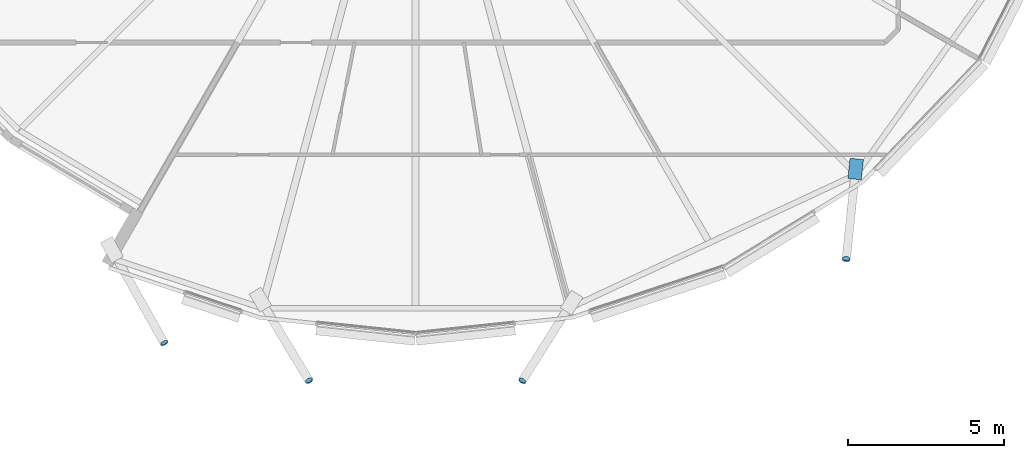
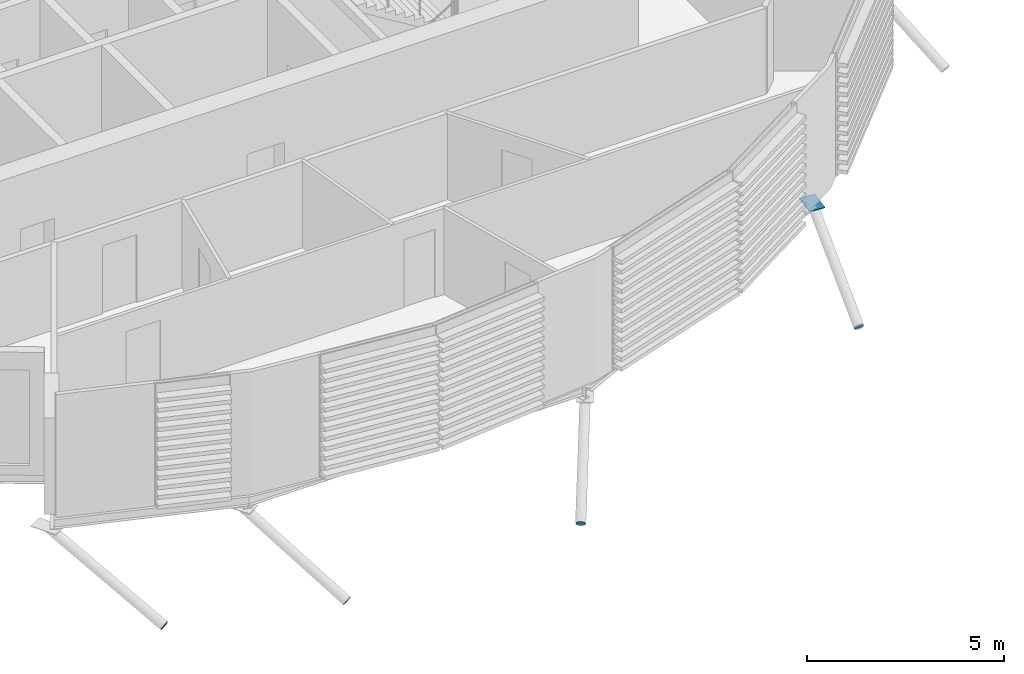
# One storey, part 25 of 36: 5 discrete accessories.
"""IFC4 building model written with IfcOpenShell, lengths in metres."""

from ifc_helpers import new_model, si_unit, direction, frame, origin, origin_2d, place, context, subcontext, project, spatial, polyline, rectangle, circle, outline, extrude, material, material_profile, profile_set, type_object, element, save


model = new_model("IFC4")

# Units and contexts
model_context = context("Model", 3, precision=1e-05, world=origin(), true_north=direction((0.0, 1.0)))
body_context = subcontext(model_context, "Body", "Model", "MODEL_VIEW")
ifc_project = project(units=[si_unit("LENGTHUNIT", "METRE"), si_unit("AREAUNIT", "SQUARE_METRE"), si_unit("VOLUMEUNIT", "CUBIC_METRE"), si_unit("PLANEANGLEUNIT", "RADIAN"), si_unit("MASSUNIT", "GRAM", prefix="KILO")], contexts=[model_context])

# Site, building, storey
site_placement = place(None, origin())
site = spatial("IfcSite", under=ifc_project, at=site_placement, CompositionType="ELEMENT")
building_placement = place(site_placement, origin())
building = spatial("IfcBuilding", under=site, at=building_placement, Name="Rimbun Link Towers", CompositionType="ELEMENT")
storey_placement = place(building_placement, frame((0.0, 0.0, 200.699951171875)))
storey = spatial("IfcBuildingStorey", under=building, at=storey_placement, Name="L49", CompositionType="ELEMENT", Elevation=200.699951171875)

# Discrete accessories
ifc_material_1 = material(Name="Steel S355J2H", Category="steel")
ifc_material_profile_1 = material_profile(ifc_material_1, circle(Radius=0.1240234375, at=origin_2d()), Name="PL D248")
ifc_profile_set_1 = profile_set([ifc_material_profile_1], Name="Steel S355J2H")
discrete_accessory_type_1 = type_object("IfcDiscreteAccessoryType", Name="Link foot sealing plate D248X20", PredefinedType="BRACKET", material=ifc_profile_set_1)
discrete_accessory_1_placement = place(storey_placement, frame((-39.814453125, -19.52099609375, -2.529052734375), z_axis=(0.439514902173, -0.769151078803, -0.463932396738), x_axis=(0.868243142124, 0.496138938357, 0.0)))
element("IfcDiscreteAccessory", 1, at=discrete_accessory_1_placement, inside=storey, type_object=discrete_accessory_type_1, Name="Link foot sealing plate T1 L49 16", PredefinedType="BRACKET", context=body_context, shape_type="SweptSolid", body=[
    extrude(circle(Radius=0.1240234375, at=origin_2d()), origin(), (0.0, 0.0, 1.0), 0.02001953125),
])
discrete_accessory_2_placement = place(storey_placement, frame((-35.17041015625, -20.728515625, -2.65283203125), z_axis=(0.442259107334, -0.72481353702, -0.52825393376), x_axis=(0.853639280337, 0.520864645629, 0.0)))
element("IfcDiscreteAccessory", 2, at=discrete_accessory_2_placement, inside=storey, type_object=discrete_accessory_type_1, Name="Link foot sealing plate T1 L49 17", PredefinedType="BRACKET", context=body_context, shape_type="SweptSolid", body=[
    extrude(circle(Radius=0.1240234375, at=origin_2d()), origin(), (0.0, 0.0, 1.0), 0.019775390625),
])
for number, where, z_axis, x_axis, name in (
    (3, (-28.324951171875, -20.7333984375, -2.650146484375), (-0.452060681249, -0.720853518748, -0.525367818749), (0.847190627169, -0.531289037377, 0.0), "Link foot sealing plate T1 L49 19"),
    (4, (-17.945068359375, -16.82568359375, -2.564697265625), (-0.084956211157, -0.82528890838, -0.558283673316), (0.99474329889, -0.102400045474, 0.0), "Link foot sealing plate T1 L49 21"),
):
    element("IfcDiscreteAccessory", number, at=place(storey_placement, frame(where, z_axis=z_axis, x_axis=x_axis)), inside=storey, type_object=discrete_accessory_type_1, Name=name, PredefinedType="BRACKET", context=body_context, shape_type="SweptSolid", body=[
        extrude(circle(Radius=0.1240234375, at=origin_2d()), origin(), (0.0, 0.0, 1.0), 0.02001953125),
    ])
ifc_material_2 = material(Name="Steel S355J2H", Category="steel")
ifc_material_profile_2 = material_profile(ifc_material_2, rectangle(XDim=0.43310546875, YDim=0.43310546875, at=origin_2d()), Name="PL 433x433")
ifc_profile_set_2 = profile_set([ifc_material_profile_2], Name="Steel S355J2H")
discrete_accessory_type_2 = type_object("IfcDiscreteAccessoryType", Name="Link head end plate 433X20", PredefinedType="BRACKET", material=ifc_profile_set_2)
discrete_accessory_3_placement = place(storey_placement, frame((0.0, 0.0, -0.623291015625)))
element("IfcDiscreteAccessory", 5, at=discrete_accessory_3_placement, inside=storey, type_object=discrete_accessory_type_2, Name="Link head end plate T1 L49 21", PredefinedType="BRACKET", context=body_context, shape_type="SweptSolid", body=[
    extrude(outline(polyline([(-17.82568359375, -13.607666015625), (-17.893310546875, -14.25341796875), (-17.462646484375, -14.298583984375), (-17.39501953125, -13.65283203125), (-17.82568359375, -13.607666015625)])), origin(), (0.0, 0.0, 1.0), 0.02001953125),
])

save(model, "model.ifc")
